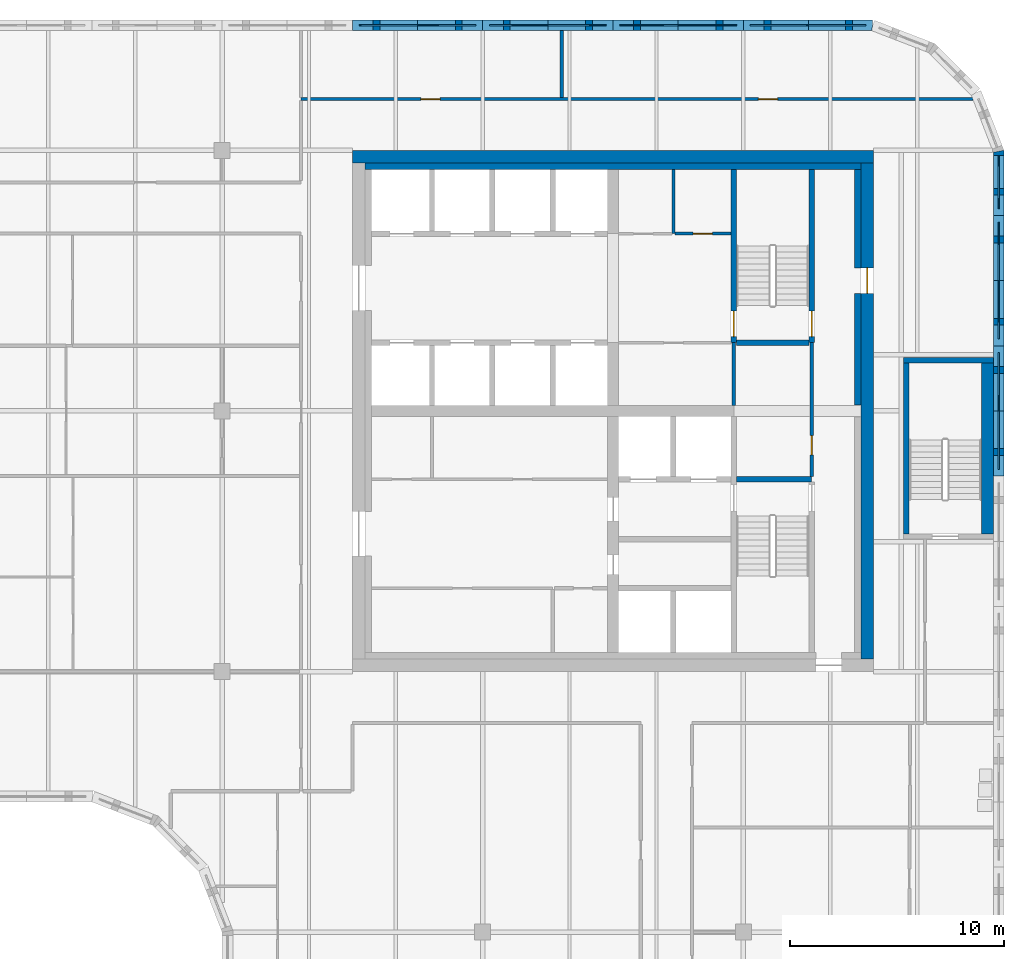
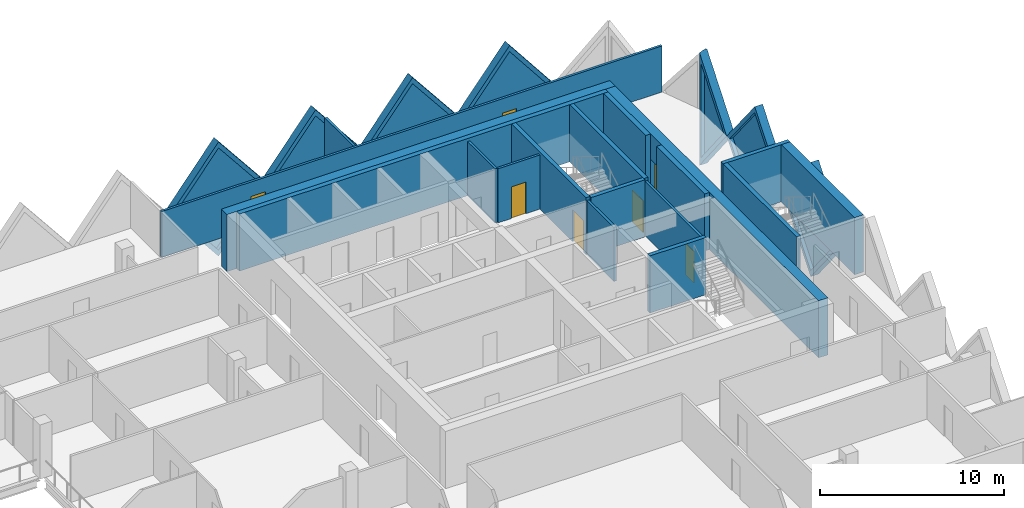
# One storey, part 9 of 12: 25 walls, 7 doors, 7 plates, 14 openings.
"""IFC4 building model written with IfcOpenShell, lengths in metres."""

from ifc_helpers import new_model, si_unit, direction, frame, frame_2d, origin, place, context, subcontext, project, spatial, polyline, rectangle, outline, extrude, faceted_brep, source, transform, mapped, material, layer, layer_set, type_object, element, fill, save


model = new_model("IFC4")

# Units and contexts
model_context = context("Model", 3, precision=1e-05, world=origin(), true_north=direction((0.0, 1.0)))
body_context = subcontext(model_context, "Body", "Model", "MODEL_VIEW")
ifc_project = project(units=[si_unit("LENGTHUNIT", "METRE"), si_unit("AREAUNIT", "SQUARE_METRE"), si_unit("VOLUMEUNIT", "CUBIC_METRE"), si_unit("PLANEANGLEUNIT", "RADIAN"), si_unit("MASSUNIT", "GRAM", prefix="KILO")], contexts=[model_context])

# Site, building, storey
site_placement = place(None, origin())
site = spatial("IfcSite", under=ifc_project, at=site_placement, CompositionType="ELEMENT")
building_placement = place(site_placement, origin())
building = spatial("IfcBuilding", under=site, at=building_placement, Name="Tessera Gate Towers", CompositionType="ELEMENT")
storey_placement = place(building_placement, frame((0.0, 0.0, 182.0)))
storey = spatial("IfcBuildingStorey", under=building, at=storey_placement, Name="L45", CompositionType="ELEMENT", Elevation=182.0)

# Wall
ifc_material_1 = material(Name="Concrete C40/50", Category="concrete")
ifc_layer_1 = layer(ifc_material_1, 0.25)
ifc_layer_set_1 = layer_set([ifc_layer_1], Name="CORE ENCLOSURE WALL 250")
wall_type_1 = type_object("IfcWallType", Name="CORE ENCLOSURE WALL 250", PredefinedType="SOLIDWALL", material=ifc_layer_set_1)
wall_1_placement = place(storey_placement, frame((48.47509765625, 33.39990234375, 0.0), z_axis=(0.0, 0.0, 1.0), x_axis=(1.0, 0.0, 0.0)))
element("IfcWall", 1, at=wall_1_placement, inside=storey, type_object=wall_type_1, Name="L45 shaft and stair enclosure wall", PredefinedType="SOLIDWALL", context=body_context, shape_type="SweptSolid", body=[
    extrude(rectangle(XDim=3.52490234375, YDim=0.25, at=frame_2d((1.762451171875, 0.0))), origin(), (0.0, 0.0, 1.0), 3.800048828125),
])

# Wall, opening, door
wall_2_placement = place(storey_placement, frame((48.35009765625, 47.89990234375, 0.0), z_axis=(0.0, 0.0, 1.0), x_axis=(0.0, -1.0, 0.0)))
wall_2 = element("IfcWall", 2, at=wall_2_placement, inside=storey, type_object=wall_type_1, Name="L45 shaft and stair enclosure wall", PredefinedType="SOLIDWALL", context=body_context, shape_type="SweptSolid", body=[
    extrude(rectangle(XDim=8.099853515625, YDim=0.25, at=frame_2d((4.0498046875, 0.0))), origin(), (0.0, 0.0, 1.0), 3.800048828125),
])
shared_shape_1 = source(origin(), body_context, "Body", "SweptSolid", [
    extrude(rectangle(XDim=1.199951171875, YDim=2.10009765625, at=frame_2d((0.60009765625, 1.050048828125))), frame((0.0, 0.135009765625, 0.0), z_axis=(0.0, -1.0, 0.0), x_axis=(1.0, 0.0, 0.0)), (0.0, 0.0, 1.0), 0.27001953125),
])
opening_1_placement = place(wall_2_placement, frame((6.625, 0.0, 0.0)))
opening_1 = element("IfcOpeningElement", 3, at=opening_1_placement, cuts=wall_2, Name="Opening SD-ST2-1", PredefinedType="OPENING", context=body_context, shape_type="MappedRepresentation", body=[
    mapped(shared_shape_1, transform((0.0, 0.0, 0.0), scale=1.0)),
])
ifc_material_2 = material(Name="Hollow steel fire door", Category="steel")
door_type_1 = type_object("IfcDoorType", Name="CORE DOOR SD 1200x2100", OperationType="NOTDEFINED", PredefinedType="DOOR", material=ifc_material_2)
shared_shape_2 = source(origin(), body_context, "Body", "SweptSolid", [
    extrude(rectangle(XDim=1.199951171875, YDim=2.10009765625, at=frame_2d((0.60009765625, 1.050048828125))), frame((0.0, 0.02490234375, 0.0), z_axis=(0.0, -1.0, 0.0), x_axis=(1.0, 0.0, 0.0)), (0.0, 0.0, 1.0), 0.050048828125),
])
door_1_placement = place(opening_1_placement, origin())
door_1 = element("IfcDoor", 4, at=door_1_placement, inside=storey, type_object=door_type_1, Name="Stair door", OperationType="SINGLE_SWING_RIGHT", OverallHeight=2.10009765625, OverallWidth=1.199951171875, PredefinedType="DOOR", context=body_context, shape_type="MappedRepresentation", body=[
    mapped(shared_shape_2, transform((0.0, 0.0, 0.0), scale=1.0)),
])
fill(opening_1, door_1)

wall_3_placement = place(storey_placement, frame((52.0, 39.800048828125, 0.0), z_axis=(0.0, 0.0, 1.0), x_axis=(0.0, 1.0, 0.0)))
wall_3 = element("IfcWall", 5, at=wall_3_placement, inside=storey, type_object=wall_type_1, Name="L45 shaft and stair enclosure wall", PredefinedType="SOLIDWALL", context=body_context, shape_type="SweptSolid", body=[
    extrude(rectangle(XDim=8.099853515625, YDim=0.25, at=frame_2d((4.0498046875, 0.0))), origin(), (0.0, 0.0, 1.0), 3.800048828125),
])
opening_2_placement = place(wall_3_placement, frame((0.27490234375, 0.0, 0.0)))
opening_2 = element("IfcOpeningElement", 6, at=opening_2_placement, cuts=wall_3, Name="Opening SD-ST2-2", PredefinedType="OPENING", context=body_context, shape_type="MappedRepresentation", body=[
    mapped(shared_shape_1, transform((0.0, 0.0, 0.0), scale=1.0)),
])
door_2_placement = place(opening_2_placement, origin())
door_2 = element("IfcDoor", 7, at=door_2_placement, inside=storey, type_object=door_type_1, Name="Stair door", OperationType="SINGLE_SWING_LEFT", OverallHeight=2.10009765625, OverallWidth=1.199951171875, PredefinedType="DOOR", context=body_context, shape_type="MappedRepresentation", body=[
    mapped(shared_shape_2, transform((0.0, 0.0, 0.0), scale=1.0)),
])
fill(opening_2, door_2)

# Walls
wall_4_placement = place(storey_placement, frame((48.47509765625, 39.800048828125, 0.0), z_axis=(0.0, 0.0, 1.0), x_axis=(1.0, 0.0, 0.0)))
element("IfcWall", 8, at=wall_4_placement, inside=storey, type_object=wall_type_1, Name="L45 shaft and stair enclosure wall", PredefinedType="SOLIDWALL", context=body_context, shape_type="SweptSolid", body=[
    extrude(rectangle(XDim=3.39990234375, YDim=0.25, at=frame_2d((1.699951171875, 0.0))), origin(), (0.0, 0.0, 1.0), 3.800048828125),
])
wall_5_placement = place(storey_placement, frame((56.425048828125, 30.85009765625, 0.0), z_axis=(0.0, 0.0, 1.0), x_axis=(0.0, 1.0, 0.0)))
element("IfcWall", 9, at=wall_5_placement, inside=storey, type_object=wall_type_1, Name="L45 ST5 enclosure wall", PredefinedType="SOLIDWALL", context=body_context, shape_type="SweptSolid", body=[
    extrude(rectangle(XDim=8.0, YDim=0.25, at=frame_2d((4.0, 0.0))), origin(), (0.0, 0.0, 1.0), 3.800048828125),
])
wall_6_placement = place(storey_placement, frame((56.300048828125, 38.97509765625, 0.0), z_axis=(0.0, 0.0, 1.0), x_axis=(1.0, 0.0, 0.0)))
element("IfcWall", 10, at=wall_6_placement, inside=storey, type_object=wall_type_1, Name="L45 ST5 enclosure wall", PredefinedType="SOLIDWALL", context=body_context, shape_type="SweptSolid", body=[
    extrude(rectangle(XDim=4.199951171875, YDim=0.25, at=frame_2d((2.10009765625, 0.0))), origin(), (0.0, 0.0, 1.0), 3.800048828125),
])
ifc_material_3 = material(Name="Concrete C40/50", Category="concrete")
ifc_layer_2 = layer(ifc_material_3, 0.550048828125)
ifc_layer_set_2 = layer_set([ifc_layer_2], Name="CORE ENCLOSURE WALL 550")
wall_type_2 = type_object("IfcWallType", Name="CORE ENCLOSURE WALL 550", PredefinedType="SOLIDWALL", material=ifc_layer_set_2)
wall_7_placement = place(storey_placement, frame((60.22509765625, 38.85009765625, 0.0), z_axis=(0.0, 0.0, 1.0), x_axis=(0.0, -1.0, 0.0)))
element("IfcWall", 11, at=wall_7_placement, inside=storey, type_object=wall_type_2, Name="L45 ST5 enclosure wall", PredefinedType="SOLIDWALL", context=body_context, shape_type="SweptSolid", body=[
    extrude(rectangle(XDim=8.0, YDim=0.550048828125, at=frame_2d((4.0, 0.0))), origin(), (0.0, 0.0, 1.0), 3.800048828125),
])
ifc_material_4 = material(Name="Concrete C50/60", Category="concrete")
ifc_layer_3 = layer(ifc_material_4, 0.60009765625)
ifc_layer_set_3 = layer_set([ifc_layer_3], Name="CORE SHEAR WALL 600 C50/60")
wall_type_3 = type_object("IfcWallType", Name="CORE SHEAR WALL 600 C50/60", PredefinedType="SHEAR", material=ifc_layer_set_3)
wall_8_placement = place(storey_placement, frame((30.5, 48.5, 0.0), z_axis=(0.0, 0.0, 1.0), x_axis=(1.0, 0.0, 0.0)))
element("IfcWall", 12, at=wall_8_placement, inside=storey, type_object=wall_type_3, Name="Core wall N L45", PredefinedType="SHEAR", context=body_context, shape_type="SweptSolid", body=[
    extrude(rectangle(XDim=24.39990234375, YDim=0.60009765625, at=frame_2d((12.199951171875, 0.0))), origin(), (0.0, 0.0, 1.0), 3.800048828125),
])

# Wall, opening, door
wall_9_placement = place(storey_placement, frame((54.60009765625, 48.199951171875, 0.0), z_axis=(0.0, 0.0, 1.0), x_axis=(0.0, -1.0, 0.0)))
wall_9 = element("IfcWall", 13, at=wall_9_placement, inside=storey, type_object=wall_type_3, Name="Core wall E L45", PredefinedType="SHEAR", context=body_context, shape_type="SweptSolid", body=[
    extrude(rectangle(XDim=23.199951171875, YDim=0.60009765625, at=frame_2d((11.60009765625, 0.0))), origin(), (0.0, 0.0, 1.0), 3.800048828125),
])
shared_shape_3 = source(origin(), body_context, "Body", "SweptSolid", [
    extrude(rectangle(XDim=1.199951171875, YDim=2.10009765625, at=frame_2d((0.60009765625, 1.050048828125))), frame((0.0, 0.31005859375, 0.0), z_axis=(0.0, -1.0, 0.0), x_axis=(1.0, 0.0, 0.0)), (0.0, 0.0, 1.0), 0.6201171875),
])
opening_3_placement = place(wall_9_placement, frame((4.89990234375, 0.0, 0.0)))
opening_3 = element("IfcOpeningElement", 14, at=opening_3_placement, cuts=wall_9, Name="Opening ED-T1-28-04", PredefinedType="OPENING", context=body_context, shape_type="MappedRepresentation", body=[
    mapped(shared_shape_3, transform((0.0, 0.0, 0.0), scale=1.0)),
])
ifc_material_5 = material(Name="Hollow steel fire door", Category="steel")
door_type_2 = type_object("IfcDoorType", Name="CORE DOOR ED 1200x2100", OperationType="NOTDEFINED", PredefinedType="DOOR", material=ifc_material_5)
door_3_placement = place(opening_3_placement, origin())
door_3 = element("IfcDoor", 15, at=door_3_placement, inside=storey, type_object=door_type_2, Name="Core exit door", OperationType="SINGLE_SWING_LEFT", OverallHeight=2.10009765625, OverallWidth=1.199951171875, PredefinedType="DOOR", context=body_context, shape_type="MappedRepresentation", body=[
    mapped(shared_shape_2, transform((0.0, 0.0, 0.0), scale=1.0)),
])
fill(opening_3, door_3)

# Walls
ifc_material_6 = material(Name="Concrete C50/60", Category="concrete")
ifc_layer_4 = layer(ifc_material_6, 0.300048828125)
ifc_layer_set_4 = layer_set([ifc_layer_4], Name="CORE WALL THICKENING 300")
wall_type_4 = type_object("IfcWallType", Name="CORE WALL THICKENING 300", PredefinedType="SOLIDWALL", material=ifc_layer_set_4)
wall_10_placement = place(storey_placement, frame((31.10009765625, 48.050048828125, 0.0), z_axis=(0.0, 0.0, 1.0), x_axis=(1.0, 0.0, 0.0)))
element("IfcWall", 16, at=wall_10_placement, inside=storey, type_object=wall_type_4, Name="Core wall thickening N L45", PredefinedType="SOLIDWALL", context=body_context, shape_type="SweptSolid", body=[
    extrude(rectangle(XDim=23.199951171875, YDim=0.300048828125, at=frame_2d((11.60009765625, 0.0))), origin(), (0.0, 0.0, 1.0), 3.800048828125),
])
wall_11_placement = place(storey_placement, frame((54.14990234375, 36.8798828125, 0.0), z_axis=(0.0, 0.0, 1.0), x_axis=(0.0, 1.0, 0.0)))
element("IfcWall", 17, at=wall_11_placement, inside=storey, type_object=wall_type_4, Name="Core wall thickening E L45", PredefinedType="SOLIDWALL", context=body_context, shape_type="SweptSolid", body=[
    extrude(rectangle(XDim=5.22021484375, YDim=0.300048828125, at=frame_2d((2.610107421875, 0.0))), origin(), (0.0, 0.0, 1.0), 3.800048828125),
])
wall_12_placement = place(storey_placement, frame((54.14990234375, 43.300048828125, 0.0), z_axis=(0.0, 0.0, 1.0), x_axis=(0.0, 1.0, 0.0)))
element("IfcWall", 18, at=wall_12_placement, inside=storey, type_object=wall_type_4, Name="Core wall thickening E L45", PredefinedType="SOLIDWALL", context=body_context, shape_type="SweptSolid", body=[
    extrude(rectangle(XDim=4.599853515625, YDim=0.300048828125, at=frame_2d((2.2998046875, 0.0))), origin(), (0.0, 0.0, 1.0), 3.800048828125),
])

# Wall, openings, doors
ifc_material_7 = material(Name="Gypsum board on steel studs, mineral wool", Category="steel")
ifc_layer_5 = layer(ifc_material_7, 0.14990234375)
ifc_layer_set_5 = layer_set([ifc_layer_5], Name="CORRIDOR WALL 150")
wall_type_5 = type_object("IfcWallType", Name="CORRIDOR WALL 150", PredefinedType="PARTITIONING", material=ifc_layer_set_5)
wall_13_placement = place(storey_placement, frame((28.10009765625, 51.199951171875, 0.0), z_axis=(0.0, 0.0, 1.0), x_axis=(1.0, 0.0, 0.0)))
wall_13 = element("IfcWall", 19, at=wall_13_placement, inside=storey, type_object=wall_type_5, Name="T1-L45-PW-049", PredefinedType="PARTITIONING", context=body_context, shape_type="SweptSolid", body=[
    extrude(rectangle(XDim=31.438232421875, YDim=0.14990234375, at=frame_2d((15.71923828125, 0.0))), origin(), (0.0, 0.0, 1.0), 3.06689453125),
])
shared_shape_4 = source(origin(), body_context, "Body", "SweptSolid", [
    extrude(rectangle(XDim=0.89990234375, YDim=2.10009765625, at=frame_2d((0.449951171875, 1.050048828125))), frame((0.0, 0.0849609375, 0.0), z_axis=(0.0, -1.0, 0.0), x_axis=(1.0, 0.0, 0.0)), (0.0, 0.0, 1.0), 0.169921875),
])
opening_4_placement = place(wall_13_placement, frame((5.60009765625, 0.0, 0.0)))
opening_4 = element("IfcOpeningElement", 20, at=opening_4_placement, cuts=wall_13, Name="Opening D890FD60-A16-07", PredefinedType="OPENING", context=body_context, shape_type="MappedRepresentation", body=[
    mapped(shared_shape_4, transform((0.0, 0.0, 0.0), scale=1.0)),
])
opening_5_placement = place(wall_13_placement, frame((21.39990234375, 0.0, 0.0)))
opening_5 = element("IfcOpeningElement", 21, at=opening_5_placement, cuts=wall_13, Name="Opening D890FD60-A16-08", PredefinedType="OPENING", context=body_context, shape_type="MappedRepresentation", body=[
    mapped(shared_shape_4, transform((0.0, 0.0, 0.0), scale=1.0)),
])
ifc_material_8 = material(Name="Timber door leaf in steel frame", Category="steel")
door_type_3 = type_object("IfcDoorType", Name="CORRIDOR DOOR 900 FD60", OperationType="NOTDEFINED", PredefinedType="DOOR", material=ifc_material_8)
shared_shape_5 = source(origin(), body_context, "Body", "SweptSolid", [
    extrude(rectangle(XDim=0.89990234375, YDim=2.10009765625, at=frame_2d((0.449951171875, 1.050048828125))), frame((0.0, 0.02490234375, 0.0), z_axis=(0.0, -1.0, 0.0), x_axis=(1.0, 0.0, 0.0)), (0.0, 0.0, 1.0), 0.050048828125),
])
door_4_placement = place(opening_4_placement, origin())
door_4 = element("IfcDoor", 22, at=door_4_placement, inside=storey, type_object=door_type_3, Name="T1-L45-PD-024", OperationType="SINGLE_SWING_LEFT", OverallHeight=2.10009765625, OverallWidth=0.89990234375, PredefinedType="DOOR", context=body_context, shape_type="MappedRepresentation", body=[
    mapped(shared_shape_5, transform((0.0, 0.0, 0.0), scale=1.0)),
])
fill(opening_4, door_4)
door_5_placement = place(opening_5_placement, origin())
door_5 = element("IfcDoor", 23, at=door_5_placement, inside=storey, type_object=door_type_3, Name="T1-L45-PD-027", OperationType="SINGLE_SWING_LEFT", OverallHeight=2.10009765625, OverallWidth=0.89990234375, PredefinedType="DOOR", context=body_context, shape_type="MappedRepresentation", body=[
    mapped(shared_shape_5, transform((0.0, 0.0, 0.0), scale=1.0)),
])
fill(opening_5, door_5)

# Wall, opening, door
ifc_material_9 = material(Name="Gypsum board on steel studs", Category="steel")
ifc_layer_6 = layer(ifc_material_9, 0.14990234375)
ifc_layer_set_6 = layer_set([ifc_layer_6], Name="SERVICE ROOM WALL 150")
wall_type_6 = type_object("IfcWallType", Name="SERVICE ROOM WALL 150", PredefinedType="PARTITIONING", material=ifc_layer_set_6)
wall_14_placement = place(storey_placement, frame((52.0, 33.52490234375, 0.0), z_axis=(0.0, 0.0, 1.0), x_axis=(0.0, 1.0, 0.0)))
wall_14 = element("IfcWall", 24, at=wall_14_placement, inside=storey, type_object=wall_type_6, Name="L45 service room wall", PredefinedType="PARTITIONING", context=body_context, shape_type="SweptSolid", body=[
    extrude(rectangle(XDim=6.275146484375, YDim=0.14990234375, at=frame_2d((3.1376953125, 0.0))), origin(), (0.0, 0.0, 1.0), 3.60009765625),
])
opening_6_placement = place(wall_14_placement, frame((1.02490234375, 0.0, 0.0)))
opening_6 = element("IfcOpeningElement", 25, at=opening_6_placement, cuts=wall_14, Name="Opening RD-T1-28-10", PredefinedType="OPENING", context=body_context, shape_type="MappedRepresentation", body=[
    mapped(shared_shape_4, transform((0.0, 0.0, 0.0), scale=1.0)),
])
ifc_material_10 = material(Name="Hollow steel fire door", Category="steel")
door_type_4 = type_object("IfcDoorType", Name="CORE DOOR RD 900x2100", OperationType="NOTDEFINED", PredefinedType="DOOR", material=ifc_material_10)
door_6_placement = place(opening_6_placement, origin())
door_6 = element("IfcDoor", 26, at=door_6_placement, inside=storey, type_object=door_type_4, Name="Core room door", OperationType="SINGLE_SWING_LEFT", OverallHeight=2.10009765625, OverallWidth=0.89990234375, PredefinedType="DOOR", context=body_context, shape_type="MappedRepresentation", body=[
    mapped(shared_shape_5, transform((0.0, 0.0, 0.0), scale=1.0)),
])
fill(opening_6, door_6)

# Walls
wall_15_placement = place(storey_placement, frame((48.35009765625, 36.85009765625, 0.0), z_axis=(0.0, 0.0, 1.0), x_axis=(0.0, 1.0, 0.0)))
element("IfcWall", 27, at=wall_15_placement, inside=storey, type_object=wall_type_6, Name="L45 service room wall", PredefinedType="PARTITIONING", context=body_context, shape_type="SweptSolid", body=[
    extrude(rectangle(XDim=2.949951171875, YDim=0.14990234375, at=frame_2d((1.47509765625, 0.0))), origin(), (0.0, 0.0, 1.0), 3.60009765625),
])
wall_16_placement = place(storey_placement, frame((45.52490234375, 44.89990234375, 0.0), z_axis=(0.0, 0.0, 1.0), x_axis=(0.0, 1.0, 0.0)))
element("IfcWall", 28, at=wall_16_placement, inside=storey, type_object=wall_type_6, Name="L45 service room wall", PredefinedType="PARTITIONING", context=body_context, shape_type="SweptSolid", body=[
    extrude(rectangle(XDim=3.0, YDim=0.14990234375, at=frame_2d((1.5, 0.0))), origin(), (0.0, 0.0, 1.0), 3.60009765625),
])

# Wall, opening, door
wall_17_placement = place(storey_placement, frame((45.60009765625, 44.89990234375, 0.0), z_axis=(0.0, 0.0, 1.0), x_axis=(1.0, 0.0, 0.0)))
wall_17 = element("IfcWall", 29, at=wall_17_placement, inside=storey, type_object=wall_type_6, Name="L45 service room wall", PredefinedType="PARTITIONING", context=body_context, shape_type="SweptSolid", body=[
    extrude(rectangle(XDim=2.625, YDim=0.14990234375, at=frame_2d((1.3125, 0.0))), origin(), (0.0, 0.0, 1.0), 3.60009765625),
])
opening_7_placement = place(wall_17_placement, frame((0.85009765625, 0.0, 0.0)))
opening_7 = element("IfcOpeningElement", 30, at=opening_7_placement, cuts=wall_17, Name="Opening RD-T1-28-13", PredefinedType="OPENING", context=body_context, shape_type="MappedRepresentation", body=[
    mapped(shared_shape_4, transform((0.0, 0.0, 0.0), scale=1.0)),
])
door_7_placement = place(opening_7_placement, origin())
door_7 = element("IfcDoor", 31, at=door_7_placement, inside=storey, type_object=door_type_4, Name="Core room door", OperationType="SINGLE_SWING_LEFT", OverallHeight=2.10009765625, OverallWidth=0.89990234375, PredefinedType="DOOR", context=body_context, shape_type="MappedRepresentation", body=[
    mapped(shared_shape_5, transform((0.0, 0.0, 0.0), scale=1.0)),
])
fill(opening_7, door_7)

# Wall
ifc_material_11 = material(Name="Gypsum board on steel studs, mineral wool", Category="steel")
ifc_layer_7 = layer(ifc_material_11, 0.14990234375)
ifc_layer_set_7 = layer_set([ifc_layer_7], Name="TENANCY WALL 150")
wall_type_7 = type_object("IfcWallType", Name="TENANCY WALL 150", PredefinedType="PARTITIONING", material=ifc_layer_set_7)
wall_18_placement = place(storey_placement, frame((40.300048828125, 51.27587890625, 0.0), z_axis=(0.0, 0.0, 1.0), x_axis=(0.0, 1.0, 0.0)))
element("IfcWall", 32, at=wall_18_placement, inside=storey, type_object=wall_type_7, Name="T1-L45-PW-051", PredefinedType="PARTITIONING", context=body_context, shape_type="SweptSolid", body=[
    extrude(rectangle(XDim=3.1240234375, YDim=0.14990234375, at=frame_2d((1.56201171875, 0.0))), origin(), (0.0, 0.0, 1.0), 3.06689453125),
])

# Wall, opening, plate
ifc_material_12 = material(Name="Precast concrete C60/75 white", Category="concrete")
ifc_layer_8 = layer(ifc_material_12, 0.5)
ifc_layer_set_8 = layer_set([ifc_layer_8], Name="TS1 tessera")
wall_type_8 = type_object("IfcWallType", Name="TS1 tessera", PredefinedType="SOLIDWALL", material=ifc_layer_set_8)
shared_shape_6 = source(origin(), body_context, "Body", "Brep", [
    faceted_brep([(3.00341796875, -0.25, 0.0), (6.053466796875, -0.25, 3.800048828125), (3.00341796875, -0.25, 7.60009765625), (0.0, -0.25, 3.800048828125), (0.046630859375, 0.25, 3.85888671875), (3.00341796875, 0.25, 7.60009765625), (6.053466796875, 0.25, 3.800048828125), (3.00341796875, 0.25, 0.0), (0.046630859375, 0.25, 3.7412109375), (0.0, 0.0, 3.800048828125)], [[[0, 1, 2, 3]], [[4, 5, 6, 7, 8]], [[7, 6, 1, 0]], [[6, 5, 2, 1]], [[5, 4, 9, 3, 2]], [[8, 7, 0, 3, 9]], [[8, 9, 4]]]),
])
wall_19_placement = place(storey_placement, frame((54.853515625, 54.64990234375, -3.800048828125), z_axis=(0.0, 0.0, 1.0), x_axis=(-1.0, 0.0, 0.0)))
wall_19 = element("IfcWall", 33, at=wall_19_placement, inside=storey, type_object=wall_type_8, Name="Precast tessera T1 TS1-0792", PredefinedType="SOLIDWALL", context=body_context, shape_type="MappedRepresentation", body=[
    mapped(shared_shape_6, transform((0.0, 0.0, 0.0), scale=1.0)),
])
shared_shape_7 = source(origin(), body_context, "Body", "SweptSolid", [
    extrude(outline(polyline([(3.0048828125, 0.4013671875), (5.73291015625, 3.800048828125), (3.0048828125, 7.19873046875), (0.318603515625, 3.800048828125), (3.0048828125, 0.4013671875)])), frame((0.0, 0.260009765625, 0.0), z_axis=(0.0, -1.0, 0.0), x_axis=(1.0, 0.0, 0.0)), (0.0, 0.0, 1.0), 0.52001953125),
])
opening_8_placement = place(wall_19_placement, origin())
opening_8 = element("IfcOpeningElement", 34, at=opening_8_placement, cuts=wall_19, Name="Opening T1-PL2-1616", PredefinedType="OPENING", context=body_context, shape_type="MappedRepresentation", body=[
    mapped(shared_shape_7, transform((0.0, 0.0, 0.0), scale=1.0)),
])
ifc_material_13 = material(Name="Low-e laminated glass", Category="glass")
ifc_layer_9 = layer(ifc_material_13, 0.06005859375)
ifc_layer_set_9 = layer_set([ifc_layer_9], Name="PL2 rhombic pane")
plate_type = type_object("IfcPlateType", Name="PL2 rhombic pane", PredefinedType="SHEET", material=ifc_layer_set_9)
shared_shape_8 = source(origin(), body_context, "Body", "SweptSolid", [
    extrude(outline(polyline([(3.0048828125, 0.4013671875), (5.73291015625, 3.800048828125), (3.0048828125, 7.19873046875), (0.318603515625, 3.800048828125), (3.0048828125, 0.4013671875)])), frame((0.0, 0.030029296875, 0.0), z_axis=(0.0, -1.0, 0.0), x_axis=(1.0, 0.0, 0.0)), (0.0, 0.0, 1.0), 0.06005859375),
])
plate_1_placement = place(opening_8_placement, origin())
plate_1 = element("IfcPlate", 35, at=plate_1_placement, inside=storey, type_object=plate_type, Name="Glass pane T1 PL2-1616", PredefinedType="SHEET", context=body_context, shape_type="MappedRepresentation", body=[
    mapped(shared_shape_8, transform((0.0, 0.0, 0.0), scale=1.0)),
])
fill(opening_8, plate_1)

shared_shape_9 = source(origin(), body_context, "Body", "Brep", [
    faceted_brep([(3.050048828125, -0.25, 0.0), (6.099853515625, -0.25, 3.7998046875), (6.099853515625, -0.25, 3.80029296875), (3.050048828125, -0.25, 7.60009765625), (0.0, -0.25, 3.800048828125), (0.0, 0.25, 3.800048828125), (3.050048828125, 0.25, 7.60009765625), (6.099853515625, 0.25, 3.80029296875), (6.099853515625, 0.25, 3.7998046875), (3.050048828125, 0.25, 0.0)], [[[0, 1, 2, 3, 4]], [[5, 6, 7, 8, 9]], [[9, 8, 1, 0]], [[7, 6, 3, 2]], [[6, 5, 4, 3]], [[5, 9, 0, 4]], [[1, 8, 7, 2]]]),
])
wall_20_placement = place(storey_placement, frame((60.75, 33.550048828125, -3.800048828125), z_axis=(0.0, 0.0, 1.0), x_axis=(0.0, 1.0, 0.0)))
wall_20 = element("IfcWall", 36, at=wall_20_placement, inside=storey, type_object=wall_type_8, Name="Precast tessera T1 TS1-0790", PredefinedType="SOLIDWALL", context=body_context, shape_type="MappedRepresentation", body=[
    mapped(shared_shape_9, transform((0.0, 0.0, 0.0), scale=1.0)),
])
shared_shape_10 = source(origin(), body_context, "Body", "SweptSolid", [
    extrude(outline(polyline([(3.050048828125, 0.3994140625), (5.779541015625, 3.800048828125), (3.050048828125, 7.20068359375), (0.320556640625, 3.800048828125), (3.050048828125, 0.3994140625)])), frame((0.0, 0.260009765625, 0.0), z_axis=(0.0, -1.0, 0.0), x_axis=(1.0, 0.0, 0.0)), (0.0, 0.0, 1.0), 0.52001953125),
])
opening_9_placement = place(wall_20_placement, origin())
opening_9 = element("IfcOpeningElement", 37, at=opening_9_placement, cuts=wall_20, Name="Opening T1-PL2-1610", PredefinedType="OPENING", context=body_context, shape_type="MappedRepresentation", body=[
    mapped(shared_shape_10, transform((0.0, 0.0, 0.0), scale=1.0)),
])
shared_shape_11 = source(origin(), body_context, "Body", "SweptSolid", [
    extrude(outline(polyline([(3.050048828125, 0.3994140625), (5.779541015625, 3.800048828125), (3.050048828125, 7.20068359375), (0.320556640625, 3.800048828125), (3.050048828125, 0.3994140625)])), frame((0.0, 0.030029296875, 0.0), z_axis=(0.0, -1.0, 0.0), x_axis=(1.0, 0.0, 0.0)), (0.0, 0.0, 1.0), 0.06005859375),
])
plate_2_placement = place(opening_9_placement, origin())
plate_2 = element("IfcPlate", 38, at=plate_2_placement, inside=storey, type_object=plate_type, Name="Glass pane T1 PL2-1610", PredefinedType="SHEET", context=body_context, shape_type="MappedRepresentation", body=[
    mapped(shared_shape_11, transform((0.0, 0.0, 0.0), scale=1.0)),
])
fill(opening_9, plate_2)

wall_21_placement = place(storey_placement, frame((42.699951171875, 54.64990234375, -3.800048828125), z_axis=(0.0, 0.0, 1.0), x_axis=(-1.0, 0.0, 0.0)))
wall_21 = element("IfcWall", 39, at=wall_21_placement, inside=storey, type_object=wall_type_8, Name="Precast tessera T1 TS1-0794", PredefinedType="SOLIDWALL", context=body_context, shape_type="MappedRepresentation", body=[
    mapped(shared_shape_9, transform((0.0, 0.0, 0.0), scale=1.0)),
])
opening_10_placement = place(wall_21_placement, origin())
opening_10 = element("IfcOpeningElement", 40, at=opening_10_placement, cuts=wall_21, Name="Opening T1-PL2-1618", PredefinedType="OPENING", context=body_context, shape_type="MappedRepresentation", body=[
    mapped(shared_shape_10, transform((0.0, 0.0, 0.0), scale=1.0)),
])
plate_3_placement = place(opening_10_placement, origin())
plate_3 = element("IfcPlate", 41, at=plate_3_placement, inside=storey, type_object=plate_type, Name="Glass pane T1 PL2-1618", PredefinedType="SHEET", context=body_context, shape_type="MappedRepresentation", body=[
    mapped(shared_shape_11, transform((0.0, 0.0, 0.0), scale=1.0)),
])
fill(opening_10, plate_3)

shared_shape_12 = source(origin(), body_context, "Body", "SweptSolid", [
    extrude(outline(polyline([(3.050048828125, 0.0), (6.10009765625, 3.800048828125), (3.050048828125, 7.60009765625), (0.0, 3.800048828125), (3.050048828125, 0.0)])), frame((0.0, 0.25, 0.0), z_axis=(0.0, -1.0, 0.0), x_axis=(1.0, 0.0, 0.0)), (0.0, 0.0, 1.0), 0.5),
])
wall_22_placement = place(storey_placement, frame((60.75, 39.64990234375, -3.800048828125), z_axis=(0.0, 0.0, 1.0), x_axis=(0.0, 1.0, 0.0)))
wall_22 = element("IfcWall", 42, at=wall_22_placement, inside=storey, type_object=wall_type_8, Name="Precast tessera T1 TS1-0791", PredefinedType="SOLIDWALL", context=body_context, shape_type="MappedRepresentation", body=[
    mapped(shared_shape_12, transform((0.0, 0.0, 0.0), scale=1.0)),
])
opening_11_placement = place(wall_22_placement, origin())
opening_11 = element("IfcOpeningElement", 43, at=opening_11_placement, cuts=wall_22, Name="Opening T1-PL2-1611", PredefinedType="OPENING", context=body_context, shape_type="MappedRepresentation", body=[
    mapped(shared_shape_10, transform((0.0, 0.0, 0.0), scale=1.0)),
])
plate_4_placement = place(opening_11_placement, origin())
plate_4 = element("IfcPlate", 44, at=plate_4_placement, inside=storey, type_object=plate_type, Name="Glass pane T1 PL2-1611", PredefinedType="SHEET", context=body_context, shape_type="MappedRepresentation", body=[
    mapped(shared_shape_11, transform((0.0, 0.0, 0.0), scale=1.0)),
])
fill(opening_11, plate_4)

wall_23_placement = place(storey_placement, frame((48.800048828125, 54.64990234375, -3.800048828125), z_axis=(0.0, 0.0, 1.0), x_axis=(-1.0, 0.0, 0.0)))
wall_23 = element("IfcWall", 45, at=wall_23_placement, inside=storey, type_object=wall_type_8, Name="Precast tessera T1 TS1-0793", PredefinedType="SOLIDWALL", context=body_context, shape_type="MappedRepresentation", body=[
    mapped(shared_shape_12, transform((0.0, 0.0, 0.0), scale=1.0)),
])
opening_12_placement = place(wall_23_placement, origin())
opening_12 = element("IfcOpeningElement", 46, at=opening_12_placement, cuts=wall_23, Name="Opening T1-PL2-1617", PredefinedType="OPENING", context=body_context, shape_type="MappedRepresentation", body=[
    mapped(shared_shape_10, transform((0.0, 0.0, 0.0), scale=1.0)),
])
plate_5_placement = place(opening_12_placement, origin())
plate_5 = element("IfcPlate", 47, at=plate_5_placement, inside=storey, type_object=plate_type, Name="Glass pane T1 PL2-1617", PredefinedType="SHEET", context=body_context, shape_type="MappedRepresentation", body=[
    mapped(shared_shape_11, transform((0.0, 0.0, 0.0), scale=1.0)),
])
fill(opening_12, plate_5)

wall_24_placement = place(storey_placement, frame((36.60009765625, 54.64990234375, -3.800048828125), z_axis=(0.0, 0.0, 1.0), x_axis=(-1.0, 0.0, 0.0)))
wall_24 = element("IfcWall", 48, at=wall_24_placement, inside=storey, type_object=wall_type_8, Name="Precast tessera T1 TS1-0795", PredefinedType="SOLIDWALL", context=body_context, shape_type="MappedRepresentation", body=[
    mapped(shared_shape_12, transform((0.0, 0.0, 0.0), scale=1.0)),
])
opening_13_placement = place(wall_24_placement, origin())
opening_13 = element("IfcOpeningElement", 49, at=opening_13_placement, cuts=wall_24, Name="Opening T1-PL2-1619", PredefinedType="OPENING", context=body_context, shape_type="MappedRepresentation", body=[
    mapped(shared_shape_10, transform((0.0, 0.0, 0.0), scale=1.0)),
])
plate_6_placement = place(opening_13_placement, origin())
plate_6 = element("IfcPlate", 50, at=plate_6_placement, inside=storey, type_object=plate_type, Name="Glass pane T1 PL2-1619", PredefinedType="SHEET", context=body_context, shape_type="MappedRepresentation", body=[
    mapped(shared_shape_11, transform((0.0, 0.0, 0.0), scale=1.0)),
])
fill(opening_13, plate_6)

ifc_material_14 = material(Name="Precast concrete C60/75 white", Category="concrete")
ifc_layer_10 = layer(ifc_material_14, 0.5)
ifc_layer_set_10 = layer_set([ifc_layer_10], Name="TS3 corner tessera")
wall_type_9 = type_object("IfcWallType", Name="TS3 corner tessera", PredefinedType="SOLIDWALL", material=ifc_layer_set_10)
shared_shape_13 = source(origin(), body_context, "Body", "Brep", [
    faceted_brep([(3.00341796875, -0.25, 0.0), (3.050048828125, -0.25, 0.06005859375), (3.050048828125, -0.25, 7.5400390625), (3.00341796875, -0.25, 7.60009765625), (0.0, -0.25, 3.800048828125), (0.0, 0.25, 3.800048828125), (2.956787109375, 0.25, 7.541259765625), (2.956787109375, 0.25, 0.058837890625), (3.00341796875, 0.000244140625, 0.0), (3.00341796875, 0.000244140625, 7.60009765625)], [[[0, 1, 2, 3, 4]], [[5, 6, 7]], [[1, 0, 8]], [[9, 3, 2]], [[6, 5, 4, 3, 9]], [[5, 7, 8, 0, 4]], [[1, 8, 7, 6, 9, 2]]]),
])
wall_25_placement = place(storey_placement, frame((60.75, 45.75, -3.800048828125), z_axis=(0.0, 0.0, 1.0), x_axis=(0.0, 1.0, 0.0)))
wall_25 = element("IfcWall", 51, at=wall_25_placement, inside=storey, type_object=wall_type_9, Name="Precast corner tessera T1 TS3-1037", PredefinedType="SOLIDWALL", context=body_context, shape_type="MappedRepresentation", body=[
    mapped(shared_shape_13, transform((0.0, 0.0, 0.0), scale=1.0)),
])
shared_shape_14 = source(origin(), body_context, "Body", "SweptSolid", [
    extrude(outline(polyline([(2.803466796875, 6.94384765625), (0.318603515625, 3.800048828125), (2.803466796875, 0.65625), (2.803466796875, 6.94384765625)])), frame((0.0, 0.260009765625, 0.0), z_axis=(0.0, -1.0, 0.0), x_axis=(1.0, 0.0, 0.0)), (0.0, 0.0, 1.0), 0.52001953125),
])
opening_14_placement = place(wall_25_placement, origin())
opening_14 = element("IfcOpeningElement", 52, at=opening_14_placement, cuts=wall_25, Name="Opening T1-PL2-1612", PredefinedType="OPENING", context=body_context, shape_type="MappedRepresentation", body=[
    mapped(shared_shape_14, transform((0.0, 0.0, 0.0), scale=1.0)),
])
shared_shape_15 = source(origin(), body_context, "Body", "SweptSolid", [
    extrude(outline(polyline([(2.803466796875, 6.94384765625), (0.318603515625, 3.800048828125), (2.803466796875, 0.65625), (2.803466796875, 6.94384765625)])), frame((0.0, 0.030029296875, 0.0), z_axis=(0.0, -1.0, 0.0), x_axis=(1.0, 0.0, 0.0)), (0.0, 0.0, 1.0), 0.06005859375),
])
plate_7_placement = place(opening_14_placement, origin())
plate_7 = element("IfcPlate", 53, at=plate_7_placement, inside=storey, type_object=plate_type, Name="Glass pane T1 PL2-1612", PredefinedType="SHEET", context=body_context, shape_type="MappedRepresentation", body=[
    mapped(shared_shape_15, transform((0.0, 0.0, 0.0), scale=1.0)),
])
fill(opening_14, plate_7)

save(model, "model.ifc")
